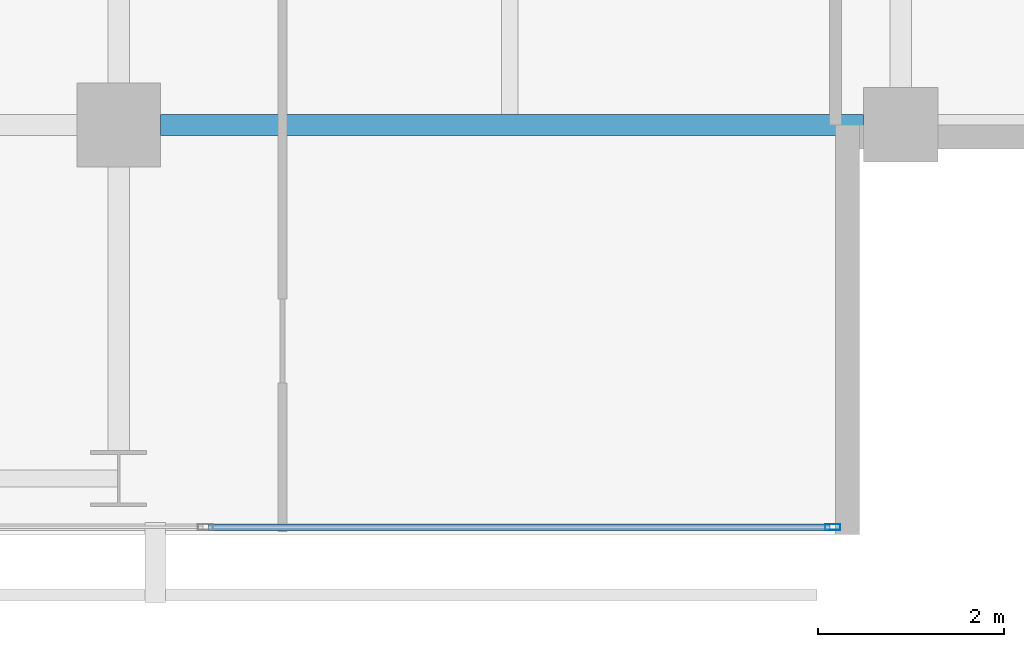
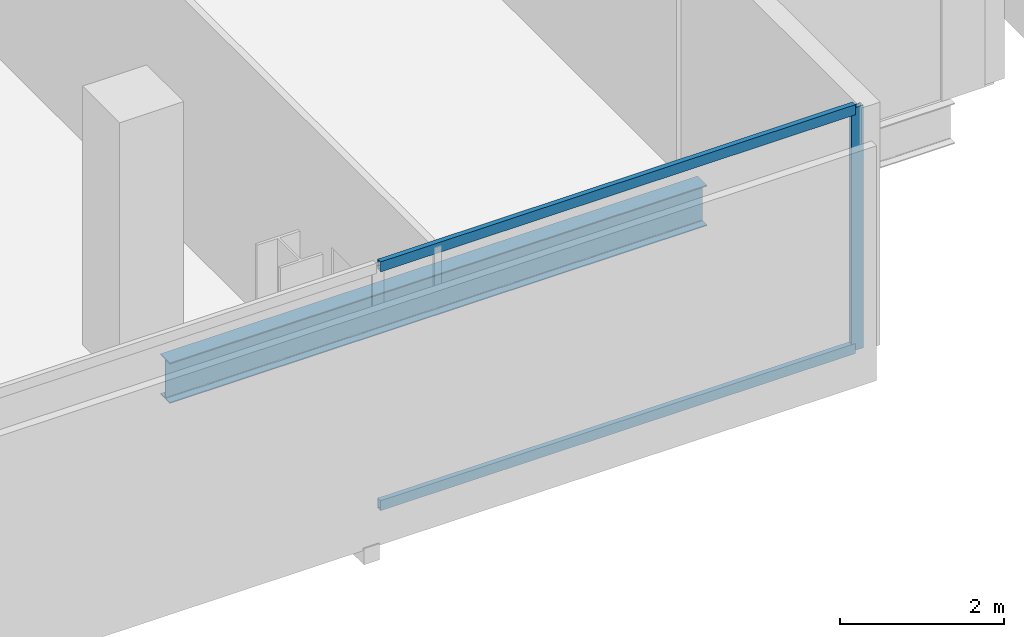
# One storey, part 13 of 32: 3 members, 1 beam, 1 element without a shape of its own.
"""IFC4 building model written with IfcOpenShell, lengths in metres."""

from ifc_helpers import new_model, si_unit, direction, frame, origin, origin_2d, place, context, subcontext, project, spatial, hollow_rectangle, i_section, extrude, material, layer, layer_set, material_profile, profile_set, type_object, element, aggregate, save


model = new_model("IFC4")

# Units and contexts
model_context = context("Model", 3, precision=1e-05, world=origin(), true_north=direction((0.0, 1.0)))
body_context = subcontext(model_context, "Body", "Model", "MODEL_VIEW")
ifc_project = project(units=[si_unit("LENGTHUNIT", "METRE"), si_unit("AREAUNIT", "SQUARE_METRE"), si_unit("VOLUMEUNIT", "CUBIC_METRE"), si_unit("PLANEANGLEUNIT", "RADIAN"), si_unit("MASSUNIT", "GRAM", prefix="KILO")], contexts=[model_context])

# Site, building, storey
site_placement = place(None, origin())
site = spatial("IfcSite", under=ifc_project, at=site_placement, CompositionType="ELEMENT")
building_placement = place(site_placement, origin())
building = spatial("IfcBuilding", under=site, at=building_placement, Name="Maruvema Waterfront Hotel and Observation Tower", CompositionType="ELEMENT")
storey_placement = place(building_placement, frame((0.0, 0.0, 162.050048828125)))
storey = spatial("IfcBuildingStorey", under=building, at=storey_placement, Name="L39", CompositionType="ELEMENT", Elevation=162.050048828125)

# Curtain wall, members
ifc_material_1 = material(Name="Anodised bronze aluminium and solar-control low-E IGU", Category="aluminium")
ifc_layer = layer(ifc_material_1, 0.159912109375, Name="Zone 2 Amber Inner Thermal Curtain Wall System CW-03")
ifc_layer_set = layer_set([ifc_layer], Name="Anodised bronze aluminium and solar-control low-E IGU")
curtain_wall_type = type_object("IfcCurtainWallType", Name="Zone 2 Amber Inner Thermal Curtain Wall System CW-03", PredefinedType="USERDEFINED", material=ifc_layer_set)
curtain_wall_placement = place(storey_placement, origin())
curtain_wall = element("IfcCurtainWall", 1, at=curtain_wall_placement, inside=storey, type_object=curtain_wall_type, Name="L39 Curtain Wall CW-L39-S", ObjectType="UNITISED CURTAIN WALL", PredefinedType="USERDEFINED")
ifc_material_2 = material(Name="Anodised architectural bronze aluminium", Category="aluminium")
ifc_material_profile_1 = material_profile(ifc_material_2, hollow_rectangle(XDim=0.070068359375, YDim=0.14990234375, WallThickness=0.00390625, at=origin_2d()), Name="ALU-T70x150")
ifc_profile_set_1 = profile_set([ifc_material_profile_1], Name="Anodised architectural bronze aluminium")
member_type_1 = type_object("IfcMemberType", Name="Curtain Wall Horizontal Transom ALU-T70x150", PredefinedType="USERDEFINED", material=ifc_profile_set_1)
member_1_placement = place(storey_placement, frame((51.36328125, 4.679931640625, 0.030029296875), z_axis=(1.0, 0.0, 0.0), x_axis=(0.0, 1.0, 0.0)))
member_1 = element("IfcMember", 2, at=member_1_placement, type_object=member_type_1, Name="CW-03 transom 6.1", ObjectType="TRANSOM", PredefinedType="USERDEFINED", context=body_context, shape_type="SweptSolid", body=[
    extrude(hollow_rectangle(XDim=0.070068359375, YDim=0.14990234375, WallThickness=0.00390625, at=origin_2d()), origin(), (0.0, 0.0, 1.0), 6.6767578125),
])
member_2_placement = place(storey_placement, frame((51.36328125, 4.679931640625, 3.579833984375), z_axis=(1.0, 0.0, 0.0), x_axis=(0.0, 1.0, 0.0)))
member_2 = element("IfcMember", 3, at=member_2_placement, type_object=member_type_1, Name="CW-03 transom 6.2", ObjectType="TRANSOM", PredefinedType="USERDEFINED", context=body_context, shape_type="SweptSolid", body=[
    extrude(hollow_rectangle(XDim=0.070068359375, YDim=0.14990234375, WallThickness=0.00390625, at=origin_2d()), origin(), (0.0, 0.0, 1.0), 6.6767578125),
])
ifc_material_3 = material(Name="Anodised architectural bronze aluminium", Category="aluminium")
ifc_material_profile_2 = material_profile(ifc_material_3, hollow_rectangle(XDim=0.06494140625, YDim=0.1650390625, WallThickness=0.00390625, at=origin_2d()), Name="ALU-M65x165")
ifc_profile_set_2 = profile_set([ifc_material_profile_2], Name="Anodised architectural bronze aluminium")
member_type_2 = type_object("IfcMemberType", Name="Curtain Wall Primary Mullion ALU-M65x165", PredefinedType="MULLION", material=ifc_profile_set_2)
member_3_placement = place(storey_placement, frame((58.070068359375, 4.679931640625, 0.0), z_axis=(0.0, 0.0, 1.0), x_axis=(0.0, 1.0, 0.0)))
member_3 = element("IfcMember", 4, at=member_3_placement, type_object=member_type_2, Name="CW-03 mullion 7", PredefinedType="MULLION", context=body_context, shape_type="SweptSolid", body=[
    extrude(hollow_rectangle(XDim=0.06494140625, YDim=0.1650390625, WallThickness=0.00390625, at=origin_2d()), origin(), (0.0, 0.0, 1.0), 3.60986328125),
])
aggregate(curtain_wall, [member_3, member_1, member_2])

# Beam
ifc_material_4 = material(Name="Steel ASTM A572 Grade 50", Category="steel")
ifc_material_profile_3 = material_profile(ifc_material_4, i_section(OverallWidth=0.22802734375, OverallDepth=0.60302734375, WebThickness=0.010498046875, FlangeThickness=0.014892578125, FilletRadius=0.01806640625, at=origin_2d()), Name="W610x101.0")
ifc_profile_set_3 = profile_set([ifc_material_profile_3], Name="Steel ASTM A572 Grade 50")
beam_type = type_object("IfcBeamType", Name="Primary Floor Girder W610x101.0", PredefinedType="BEAM", material=ifc_profile_set_3)
beam_placement = place(storey_placement, frame((50.85009765625, 9.0, -0.54150390625), z_axis=(1.0, 0.0, 0.0), x_axis=(0.0, 1.0, 0.0)))
element("IfcBeam", 5, at=beam_placement, inside=storey, type_object=beam_type, Name="L39 Floor Girder EW-09", PredefinedType="BEAM", context=body_context, shape_type="SweptSolid", body=[
    extrude(i_section(OverallWidth=0.22802734375, OverallDepth=0.60302734375, WebThickness=0.010498046875, FlangeThickness=0.014892578125, FilletRadius=0.01806640625, at=origin_2d()), origin(), (0.0, 0.0, 1.0), 7.5498046875),
])

save(model, "model.ifc")
